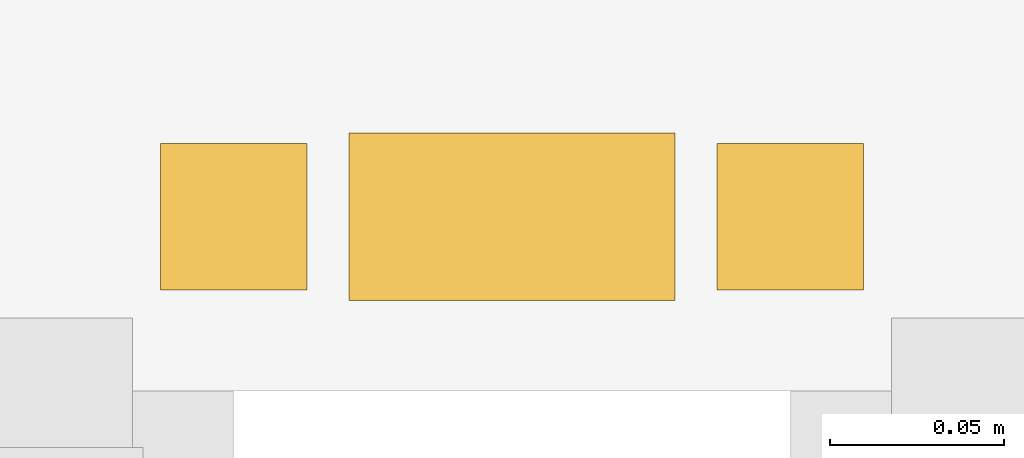
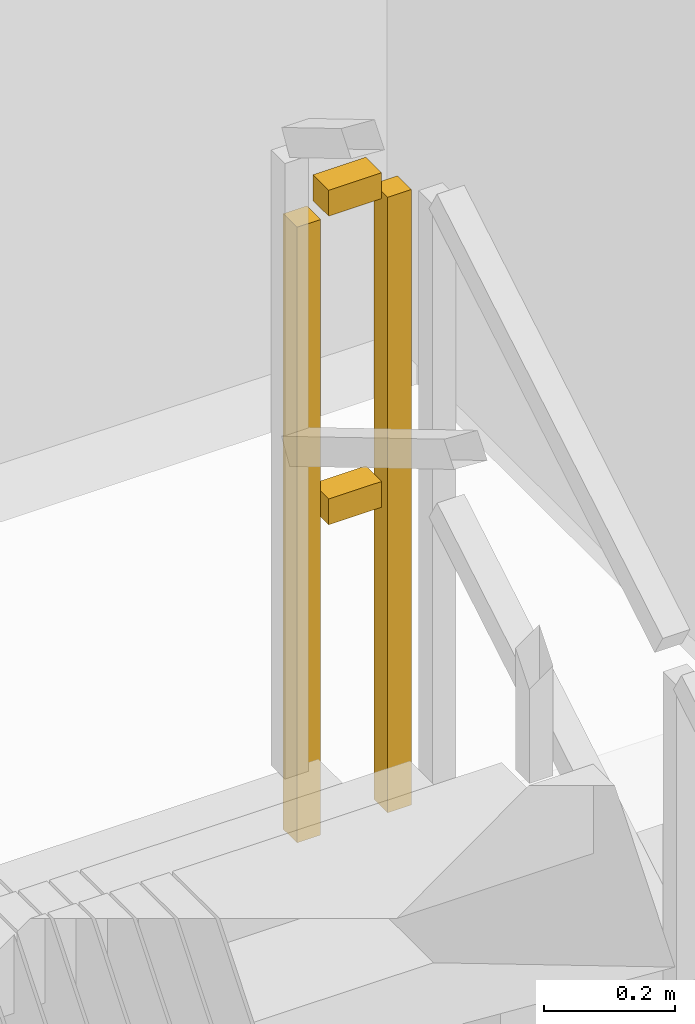
# One storey, part 28 of 28: 1 railing.
"""IFC4 building model written with IfcOpenShell, lengths in metres."""

from ifc_helpers import new_model, si_unit, direction, frame, origin, origin_2d, place, context, subcontext, project, spatial, rectangle, extrude, material, type_object, element, save


model = new_model("IFC4")

# Units and contexts
model_context = context("Model", 3, precision=1e-05, world=origin(), true_north=direction((0.0, 1.0)))
body_context = subcontext(model_context, "Body", "Model", "MODEL_VIEW")
ifc_project = project(units=[si_unit("LENGTHUNIT", "METRE"), si_unit("AREAUNIT", "SQUARE_METRE"), si_unit("VOLUMEUNIT", "CUBIC_METRE"), si_unit("PLANEANGLEUNIT", "RADIAN"), si_unit("MASSUNIT", "GRAM", prefix="KILO")], contexts=[model_context])

# Site, building, storey
site_placement = place(None, origin())
site = spatial("IfcSite", under=ifc_project, at=site_placement, CompositionType="ELEMENT")
building_placement = place(site_placement, origin())
building = spatial("IfcBuilding", under=site, at=building_placement, Name="Saelheon Loggia Tower", CompositionType="ELEMENT")
storey_placement = place(building_placement, frame((0.0, 0.0, 25.39990234375)))
storey = spatial("IfcBuildingStorey", under=building, at=storey_placement, Name="L07", CompositionType="ELEMENT", Elevation=25.39990234375)

# Railing
ifc_material = material(Name="Galvanised Steel S275 Stairwell Guardrail", Category="steel")
railing_type = type_object("IfcRailingType", Name="Guard_StairWell_RL_STG", PredefinedType="GUARDRAIL", material=ifc_material)
railing_placement = place(storey_placement, frame((42.489990234375, 32.739990234375, 1.5)))
element("IfcRailing", 1, at=railing_placement, inside=storey, type_object=railing_type, Name="L07 ST2 stair guard 2", PredefinedType="GUARDRAIL", context=body_context, shape_type="SweptSolid", body=[
    extrude(rectangle(XDim=0.048095703125, YDim=0.048095703125, at=origin_2d()), frame((-0.033203125, 0.0, 1.17578125), z_axis=(-1.0, 0.0, 0.0), x_axis=(0.0, -1.0, 0.0)), (0.0, 0.0, 1.0), 0.093505859375),
    extrude(rectangle(XDim=0.048095703125, YDim=0.048095703125, at=origin_2d()), frame((-0.033203125, 0.0, 0.60009765625), z_axis=(-1.0, 0.0, 0.0), x_axis=(0.0, -1.0, 0.0)), (0.0, 0.0, 1.0), 0.093505859375),
    extrude(rectangle(XDim=0.0419921875, YDim=0.0419921875, at=origin_2d()), origin(), (0.0, 0.0, 1.0), 1.14794921875),
    extrude(rectangle(XDim=0.0419921875, YDim=0.0419921875, at=origin_2d()), frame((-0.159912109375, 0.0, 0.0)), (0.0, 0.0, 1.0), 1.14794921875),
])

save(model, "model.ifc")
